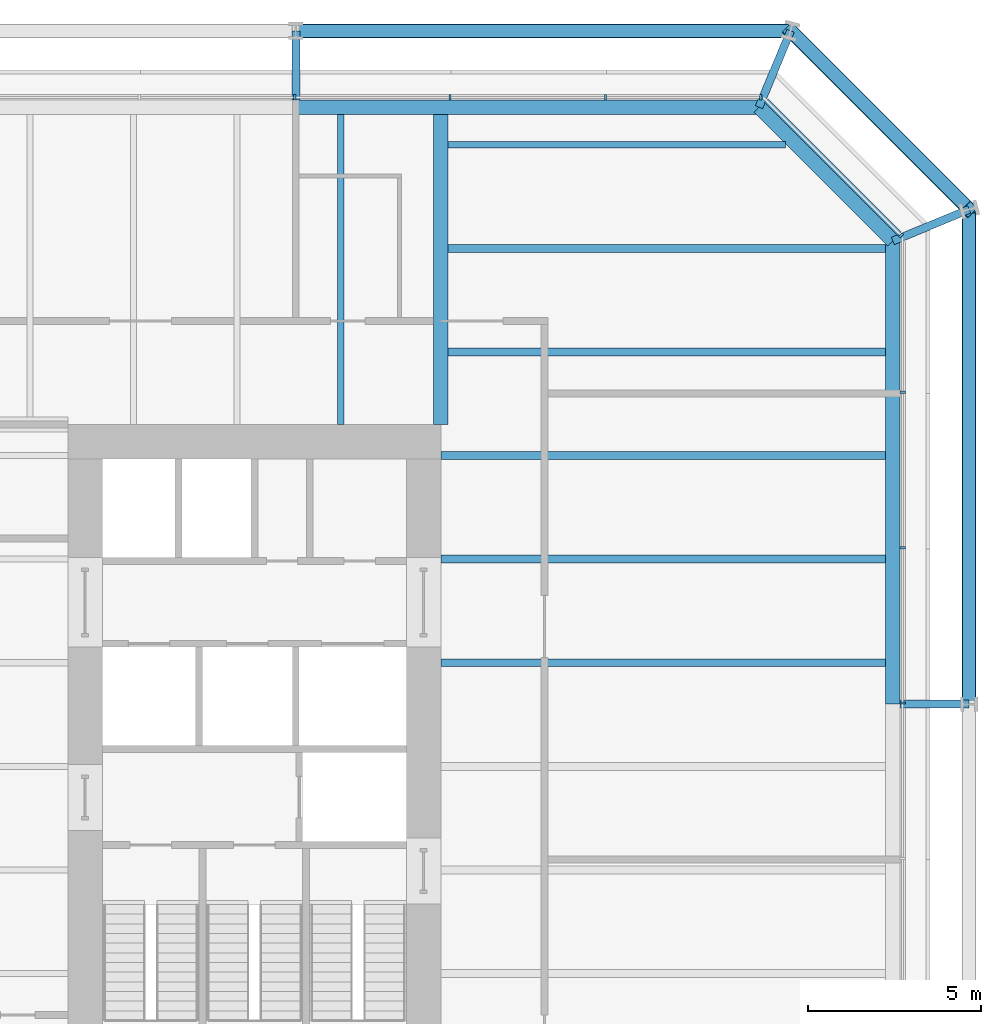
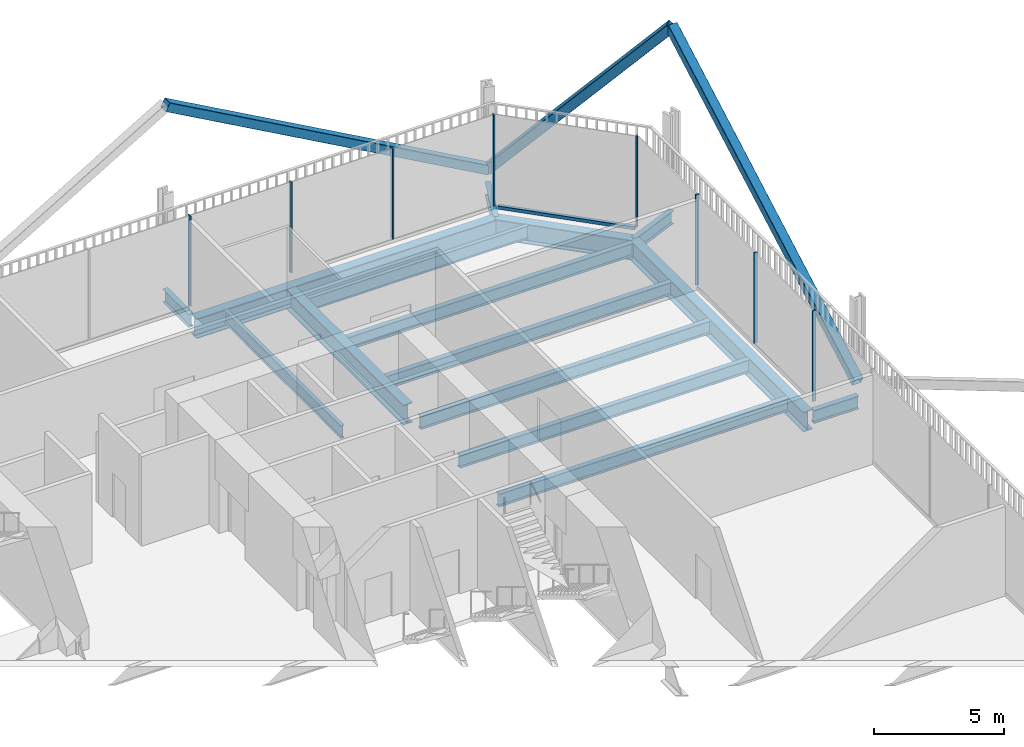
# One storey, part 15 of 21: 15 beams, 12 members, 3 elements without a shape of their own.
"""IFC4 building model written with IfcOpenShell, lengths in metres."""

from ifc_helpers import new_model, si_unit, direction, frame, origin, origin_2d, place, context, subcontext, project, spatial, rectangle, hollow_rectangle, i_section, extrude, material, layer, layer_set, material_profile, profile_set, type_object, element, aggregate, save


model = new_model("IFC4")

# Units and contexts
model_context = context("Model", 3, precision=1e-05, world=origin(), true_north=direction((0.0, 1.0)))
body_context = subcontext(model_context, "Body", "Model", "MODEL_VIEW")
ifc_project = project(units=[si_unit("LENGTHUNIT", "METRE"), si_unit("AREAUNIT", "SQUARE_METRE"), si_unit("VOLUMEUNIT", "CUBIC_METRE"), si_unit("PLANEANGLEUNIT", "RADIAN"), si_unit("MASSUNIT", "GRAM", prefix="KILO")], contexts=[model_context])

# Site, building, storey
site_placement = place(None, origin())
site = spatial("IfcSite", under=ifc_project, at=site_placement, CompositionType="ELEMENT")
building_placement = place(site_placement, origin())
building = spatial("IfcBuilding", under=site, at=building_placement, Name="Millrace Tower", CompositionType="ELEMENT")
storey_placement = place(building_placement, frame((0.0, 0.0, 82.0)))
storey = spatial("IfcBuildingStorey", under=building, at=storey_placement, Name="L18", CompositionType="ELEMENT", Elevation=82.0)

# Curtain wall, members
ifc_material_1 = material(Name="Aluminium and glass", Category="aluminium")
ifc_layer = layer(ifc_material_1, 0.14990234375)
ifc_layer_set = layer_set([ifc_layer], Name="Aluminium and glass")
curtain_wall_type = type_object("IfcCurtainWallType", Name="CW-3 telecom floor curtain wall", PredefinedType="NOTDEFINED", material=ifc_layer_set)
placement = place(storey_placement, origin())
curtain_wall_1 = element("IfcCurtainWall", 1, at=placement, inside=storey, type_object=curtain_wall_type, Name="Curtain wall B-F04 L18", PredefinedType="NOTDEFINED")
ifc_material_2 = material(Name="Aluminium", Category="aluminium")
ifc_material_profile_1 = material_profile(ifc_material_2, rectangle(XDim=0.06494140625, YDim=0.14990234375, at=origin_2d()))
ifc_profile_set_1 = profile_set([ifc_material_profile_1], Name="Aluminium")
member_type_1 = type_object("IfcMemberType", Name="CW-3 telecom floor curtain wall mullion", PredefinedType="MULLION", material=ifc_profile_set_1)
member_1_placement = place(storey_placement, frame((28.27490234375, 1.83251953125, 0.14990234375), z_axis=(0.0, 0.0, 1.0), x_axis=(0.0, 1.0, 0.0)))
member_1 = element("IfcMember", 2, at=member_1_placement, type_object=member_type_1, Name="CW3 mullion B-F04.7", PredefinedType="MULLION", context=body_context, shape_type="SweptSolid", body=[
    extrude(rectangle(XDim=0.06494140625, YDim=0.14990234375, at=origin_2d()), origin(), (0.0, 0.0, 1.0), 4.25),
])
member_2_placement = place(storey_placement, frame((28.27490234375, 6.33251953125, 0.14990234375), z_axis=(0.0, 0.0, 1.0), x_axis=(0.0, 1.0, 0.0)))
member_2 = element("IfcMember", 3, at=member_2_placement, type_object=member_type_1, Name="CW3 mullion B-F04.8", PredefinedType="MULLION", context=body_context, shape_type="SweptSolid", body=[
    extrude(rectangle(XDim=0.06494140625, YDim=0.14990234375, at=origin_2d()), origin(), (0.0, 0.0, 1.0), 4.25),
])
member_3_placement = place(storey_placement, frame((28.27490234375, 10.83251953125, 0.14990234375), z_axis=(0.0, 0.0, 1.0), x_axis=(0.0, 1.0, 0.0)))
member_3 = element("IfcMember", 4, at=member_3_placement, type_object=member_type_1, Name="CW3 mullion B-F04.9", PredefinedType="MULLION", context=body_context, shape_type="SweptSolid", body=[
    extrude(rectangle(XDim=0.06494140625, YDim=0.14990234375, at=origin_2d()), origin(), (0.0, 0.0, 1.0), 4.25),
])
aggregate(curtain_wall_1, [member_1, member_2, member_3])

# Curtain wall, member
curtain_wall_2 = element("IfcCurtainWall", 5, at=placement, inside=storey, type_object=curtain_wall_type, Name="Curtain wall B-F05 L18", PredefinedType="NOTDEFINED")
member_4_placement = place(storey_placement, frame((28.22998046875, 15.3759765625, 0.14990234375), z_axis=(0.0, 0.0, 1.0), x_axis=(-0.707106781187, 0.707106781187, 0.0)))
member_4 = element("IfcMember", 6, at=member_4_placement, type_object=member_type_1, Name="CW3 mullion B-F05.1", PredefinedType="MULLION", context=body_context, shape_type="SweptSolid", body=[
    extrude(rectangle(XDim=0.06494140625, YDim=0.14990234375, at=origin_2d()), origin(), (0.0, 0.0, 1.0), 4.25),
])

# Curtain wall, members
curtain_wall_3 = element("IfcCurtainWall", 7, at=placement, inside=storey, type_object=curtain_wall_type, Name="Curtain wall B-F06 L18", PredefinedType="NOTDEFINED")
member_5_placement = place(storey_placement, frame((24.16748046875, 19.375, 0.14990234375), z_axis=(0.0, 0.0, 1.0), x_axis=(-1.0, 0.0, 0.0)))
member_5 = element("IfcMember", 8, at=member_5_placement, type_object=member_type_1, Name="CW3 mullion B-F06.1", PredefinedType="MULLION", context=body_context, shape_type="SweptSolid", body=[
    extrude(rectangle(XDim=0.06494140625, YDim=0.14990234375, at=origin_2d()), origin(), (0.0, 0.0, 1.0), 4.25),
])
member_6_placement = place(storey_placement, frame((19.66748046875, 19.375, 0.14990234375), z_axis=(0.0, 0.0, 1.0), x_axis=(-1.0, 0.0, 0.0)))
member_6 = element("IfcMember", 9, at=member_6_placement, type_object=member_type_1, Name="CW3 mullion B-F06.2", PredefinedType="MULLION", context=body_context, shape_type="SweptSolid", body=[
    extrude(rectangle(XDim=0.06494140625, YDim=0.14990234375, at=origin_2d()), origin(), (0.0, 0.0, 1.0), 4.25),
])
member_7_placement = place(storey_placement, frame((15.16748046875, 19.375, 0.14990234375), z_axis=(0.0, 0.0, 1.0), x_axis=(-1.0, 0.0, 0.0)))
member_7 = element("IfcMember", 10, at=member_7_placement, type_object=member_type_1, Name="CW3 mullion B-F06.3", PredefinedType="MULLION", context=body_context, shape_type="SweptSolid", body=[
    extrude(rectangle(XDim=0.06494140625, YDim=0.14990234375, at=origin_2d()), origin(), (0.0, 0.0, 1.0), 4.25),
])
member_8_placement = place(storey_placement, frame((10.66748046875, 19.375, 0.14990234375), z_axis=(0.0, 0.0, 1.0), x_axis=(-1.0, 0.0, 0.0)))
member_8 = element("IfcMember", 11, at=member_8_placement, type_object=member_type_1, Name="CW3 mullion B-F06.4", PredefinedType="MULLION", context=body_context, shape_type="SweptSolid", body=[
    extrude(rectangle(XDim=0.06494140625, YDim=0.14990234375, at=origin_2d()), origin(), (0.0, 0.0, 1.0), 4.25),
])
aggregate(curtain_wall_3, [member_5, member_6, member_7, member_8])

# Member
ifc_material_3 = material(Name="Aluminium", Category="aluminium")
ifc_material_profile_2 = material_profile(ifc_material_3, rectangle(XDim=0.14990234375, YDim=0.14990234375, at=origin_2d()))
ifc_profile_set_2 = profile_set([ifc_material_profile_2], Name="Aluminium")
member_type_2 = type_object("IfcMemberType", Name="CW-3 telecom floor curtain wall transom", PredefinedType="USERDEFINED", material=ifc_profile_set_2)
member_9_placement = place(storey_placement, frame((28.182373046875, 15.423828125, 0.074951171875), z_axis=(-0.707129151258, 0.707084410407, 0.0), x_axis=(-0.707084410407, -0.707129151258, 0.0)))
member_9 = element("IfcMember", 12, at=member_9_placement, type_object=member_type_2, Name="CW3 transom B-F05.1", ObjectType="TRANSOM", PredefinedType="USERDEFINED", context=body_context, shape_type="SweptSolid", body=[
    extrude(rectangle(XDim=0.14990234375, YDim=0.14990234375, at=origin_2d()), origin(), (0.0, 0.0, 1.0), 5.456787109375),
])

aggregate(curtain_wall_2, [member_4, member_9])

# Members
ifc_material_4 = material(Name="Steel ASTM A500 Grade C", Category="steel")
ifc_material_profile_3 = material_profile(ifc_material_4, hollow_rectangle(XDim=0.406494140625, YDim=0.406494140625, WallThickness=0.015869140625, InnerFilletRadius=0.008056640625, OuterFilletRadius=0.02392578125, at=origin_2d()))
ifc_profile_set_3 = profile_set([ifc_material_profile_3], Name="Steel ASTM A500 Grade C")
member_type_3 = type_object("IfcMemberType", Name="Exoskeleton brace HSS16x16x5/8", PredefinedType="BRACE", material=ifc_profile_set_3)
member_10_placement = place(storey_placement, frame((30.199951171875, 1.800048828125, 0.39990234375), z_axis=(0.0, 0.873125840427, 0.487494888976), x_axis=(-1.0, 0.0, 0.0)))
element("IfcMember", 13, at=member_10_placement, inside=storey, type_object=member_type_3, Name="BRC-B-L18-08", PredefinedType="BRACE", context=body_context, shape_type="SweptSolid", body=[
    extrude(hollow_rectangle(XDim=0.406494140625, YDim=0.406494140625, WallThickness=0.015869140625, InnerFilletRadius=0.008056640625, OuterFilletRadius=0.02392578125, at=origin_2d()), origin(), (0.0, 0.0, 1.0), 16.410400390625),
])
member_11_placement = place(storey_placement, frame((25.0283203125, 21.300048828125, 0.39990234375), z_axis=(0.477116280189, -0.477116280189, 0.738051563482), x_axis=(0.707106781187, 0.707106781187, 0.0)))
element("IfcMember", 14, at=member_11_placement, inside=storey, type_object=member_type_3, Name="BRC-B-L18-09", PredefinedType="BRACE", context=body_context, shape_type="SweptSolid", body=[
    extrude(hollow_rectangle(XDim=0.406494140625, YDim=0.406494140625, WallThickness=0.015869140625, InnerFilletRadius=0.008056640625, OuterFilletRadius=0.02392578125, at=origin_2d()), origin(), (0.0, 0.0, 1.0), 10.83935546875),
])
member_12_placement = place(storey_placement, frame((25.0283203125, 21.300048828125, 0.39990234375), z_axis=(-0.873125840427, 0.0, 0.487494888976), x_axis=(0.0, -1.0, 0.0)))
element("IfcMember", 15, at=member_12_placement, inside=storey, type_object=member_type_3, Name="BRC-B-L18-10", PredefinedType="BRACE", context=body_context, shape_type="SweptSolid", body=[
    extrude(hollow_rectangle(XDim=0.406494140625, YDim=0.406494140625, WallThickness=0.015869140625, InnerFilletRadius=0.008056640625, OuterFilletRadius=0.02392578125, at=origin_2d()), origin(), (0.0, 0.0, 1.0), 16.410400390625),
])

# Beams
ifc_material_5 = material(Name="Steel ASTM A992 Grade 50", Category="steel")
ifc_material_profile_4 = material_profile(ifc_material_5, i_section(OverallWidth=0.177978515625, OverallDepth=0.599365234375, WebThickness=0.010009765625, FlangeThickness=0.012939453125, FilletRadius=0.012939453125, at=origin_2d()))
ifc_profile_set_4 = profile_set([ifc_material_profile_4], Name="Steel ASTM A992 Grade 50")
beam_type_1 = type_object("IfcBeamType", Name="Floor beam W24x55", PredefinedType="JOIST", material=ifc_profile_set_4)
beam_1_placement = place(storey_placement, frame((12.0, 9.89990234375, -0.499755859375), z_axis=(0.0, 1.0, 0.0), x_axis=(-1.0, 0.0, 0.0)))
element("IfcBeam", 16, at=beam_1_placement, inside=storey, type_object=beam_type_1, Name="BM-B-L18-S1-S056", PredefinedType="JOIST", context=body_context, shape_type="SweptSolid", body=[
    extrude(i_section(OverallWidth=0.177978515625, OverallDepth=0.599365234375, WebThickness=0.010009765625, FlangeThickness=0.012939453125, FilletRadius=0.012939453125, at=origin_2d()), origin(), (0.0, 0.0, 1.0), 8.98095703125),
])
beam_2_placement = place(storey_placement, frame((15.11083984375, 18.0, -0.499755859375), z_axis=(1.0, 0.0, 0.0), x_axis=(0.0, 1.0, 0.0)))
element("IfcBeam", 17, at=beam_2_placement, inside=storey, type_object=beam_type_1, Name="BM-B-L18-S1-S039", PredefinedType="JOIST", context=body_context, shape_type="SweptSolid", body=[
    extrude(i_section(OverallWidth=0.177978515625, OverallDepth=0.599365234375, WebThickness=0.010009765625, FlangeThickness=0.012939453125, FilletRadius=0.012939453125, at=origin_2d()), origin(), (0.0, 0.0, 1.0), 9.7724609375),
])
ifc_material_6 = material(Name="Steel ASTM A992 Grade 50", Category="steel")
ifc_material_profile_5 = material_profile(ifc_material_6, i_section(OverallWidth=0.228271484375, OverallDepth=0.607177734375, WebThickness=0.01123046875, FlangeThickness=0.017333984375, FilletRadius=0.0126953125, at=origin_2d()))
ifc_profile_set_5 = profile_set([ifc_material_profile_5], Name="Steel ASTM A992 Grade 50")
beam_type_2 = type_object("IfcBeamType", Name="Floor beam W24x76", PredefinedType="JOIST", material=ifc_profile_set_5)
for number, where, z_axis, x_axis, name in (
    (18, (14.89990234375, 3.0, -0.50341796875), (1.0, 0.0, 0.0), (0.0, 1.0, 0.0), "BM-B-L18-S1-S027"),
    (19, (14.89990234375, 6.0, -0.50341796875), (1.0, 0.0, 0.0), (0.0, 1.0, 0.0), "BM-B-L18-S1-S030"),
    (20, (14.89990234375, 9.0, -0.50341796875), (1.0, 0.0, 0.0), (0.0, 1.0, 0.0), "BM-B-L18-S1-S033"),
):
    element("IfcBeam", number, at=place(storey_placement, frame(where, z_axis=z_axis, x_axis=x_axis)), inside=storey, type_object=beam_type_2, Name=name, PredefinedType="JOIST", context=body_context, shape_type="SweptSolid", body=[
        extrude(i_section(OverallWidth=0.228271484375, OverallDepth=0.607177734375, WebThickness=0.01123046875, FlangeThickness=0.017333984375, FilletRadius=0.0126953125, at=origin_2d()), origin(), (0.0, 0.0, 1.0), 12.881103515625),
    ])
for number, where, z_axis, x_axis, name in (
    (21, (15.11083984375, 12.0, -0.50341796875), (1.0, 0.0, 0.0), (0.0, 1.0, 0.0), "BM-B-L18-S1-S035"),
    (22, (15.11083984375, 15.0, -0.50341796875), (1.0, 0.0, 0.0), (0.0, 1.0, 0.0), "BM-B-L18-S1-S037"),
):
    element("IfcBeam", number, at=place(storey_placement, frame(where, z_axis=z_axis, x_axis=x_axis)), inside=storey, type_object=beam_type_2, Name=name, PredefinedType="JOIST", context=body_context, shape_type="SweptSolid", body=[
        extrude(i_section(OverallWidth=0.228271484375, OverallDepth=0.607177734375, WebThickness=0.01123046875, FlangeThickness=0.017333984375, FilletRadius=0.0126953125, at=origin_2d()), origin(), (0.0, 0.0, 1.0), 12.670166015625),
    ])
ifc_material_7 = material(Name="Steel ASTM A992 Grade 50", Category="steel")
ifc_material_profile_6 = material_profile(ifc_material_7, i_section(OverallWidth=0.421630859375, OverallDepth=0.937255859375, WebThickness=0.021240234375, FlangeThickness=0.03662109375, FilletRadius=0.024169921875, at=origin_2d()))
ifc_profile_set_6 = profile_set([ifc_material_profile_6], Name="Steel ASTM A992 Grade 50")
beam_type_3 = type_object("IfcBeamType", Name="Girder short span W36x262", PredefinedType="BEAM", material=ifc_profile_set_6)
beam_3_placement = place(storey_placement, frame((14.89990234375, 9.89990234375, -0.668701171875), z_axis=(0.0, 1.0, 0.0), x_axis=(-1.0, 0.0, 0.0)))
element("IfcBeam", 23, at=beam_3_placement, inside=storey, type_object=beam_type_3, Name="BM-B-L18-S1-G060", PredefinedType="BEAM", context=body_context, shape_type="SweptSolid", body=[
    extrude(i_section(OverallWidth=0.421630859375, OverallDepth=0.937255859375, WebThickness=0.021240234375, FlangeThickness=0.03662109375, FilletRadius=0.024169921875, at=origin_2d()), origin(), (0.0, 0.0, 1.0), 8.98095703125),
])
ifc_material_8 = material(Name="Steel ASTM A992 Grade 50", Category="steel")
ifc_material_profile_7 = material_profile(ifc_material_8, i_section(OverallWidth=0.23046875, OverallDepth=0.6171875, WebThickness=0.01318359375, FlangeThickness=0.022216796875, FilletRadius=0.012939453125, at=origin_2d()))
ifc_profile_set_7 = profile_set([ifc_material_profile_7], Name="Steel ASTM A992 Grade 50")
beam_type_4 = type_object("IfcBeamType", Name="Link beam W24x94", PredefinedType="BEAM", material=ifc_profile_set_7)
beam_4_placement = place(storey_placement, frame((10.699951171875, 19.300048828125, -0.508544921875), z_axis=(0.0, 1.0, 0.0), x_axis=(-1.0, 0.0, 0.0)))
element("IfcBeam", 24, at=beam_4_placement, inside=storey, type_object=beam_type_4, Name="LNK-B-L18-S1-07", PredefinedType="BEAM", context=body_context, shape_type="SweptSolid", body=[
    extrude(i_section(OverallWidth=0.23046875, OverallDepth=0.6171875, WebThickness=0.01318359375, FlangeThickness=0.022216796875, FilletRadius=0.012939453125, at=origin_2d()), origin(), (0.0, 0.0, 1.0), 2.0),
])
for number, where, z_axis, x_axis, name in (
    (25, (24.11328125, 19.09033203125, -0.508544921875), (0.382592209583, 0.923917312949, 0.0), (-0.923917312949, 0.382592209583, 0.0), "LNK-B-L18-S1-08"),
    (26, (27.990478515625, 15.213134765625, -0.508544921875), (0.92386627665, 0.382715433277, 0.0), (-0.382715433277, 0.92386627665, 0.0), "LNK-B-L18-S1-09"),
):
    element("IfcBeam", number, at=place(storey_placement, frame(where, z_axis=z_axis, x_axis=x_axis)), inside=storey, type_object=beam_type_4, Name=name, PredefinedType="BEAM", context=body_context, shape_type="SweptSolid", body=[
        extrude(i_section(OverallWidth=0.23046875, OverallDepth=0.6171875, WebThickness=0.01318359375, FlangeThickness=0.022216796875, FilletRadius=0.012939453125, at=origin_2d()), origin(), (0.0, 0.0, 1.0), 2.3916015625),
    ])
beam_5_placement = place(storey_placement, frame((28.199951171875, 1.800048828125, -0.508544921875), z_axis=(1.0, 0.0, 0.0), x_axis=(0.0, 1.0, 0.0)))
element("IfcBeam", 27, at=beam_5_placement, inside=storey, type_object=beam_type_4, Name="LNK-B-L18-S1-10", PredefinedType="BEAM", context=body_context, shape_type="SweptSolid", body=[
    extrude(i_section(OverallWidth=0.23046875, OverallDepth=0.6171875, WebThickness=0.01318359375, FlangeThickness=0.022216796875, FilletRadius=0.012939453125, at=origin_2d()), origin(), (0.0, 0.0, 1.0), 2.0),
])
ifc_material_9 = material(Name="Steel ASTM A992 Grade 50", Category="steel")
ifc_material_profile_8 = material_profile(ifc_material_9, i_section(OverallWidth=0.419189453125, OverallDepth=0.927001953125, WebThickness=0.019287109375, FlangeThickness=0.031982421875, FilletRadius=0.024169921875, at=origin_2d()))
ifc_profile_set_8 = profile_set([ifc_material_profile_8], Name="Steel ASTM A992 Grade 50")
beam_type_5 = type_object("IfcBeamType", Name="Ring beam medium span W36x231", PredefinedType="SPANDREL", material=ifc_profile_set_8)
beam_6_placement = place(storey_placement, frame((10.699951171875, 19.09033203125, -0.66357421875), z_axis=(1.0, 0.0, 0.0), x_axis=(0.0, 1.0, 0.0)))
element("IfcBeam", 28, at=beam_6_placement, inside=storey, type_object=beam_type_5, Name="RNG-B-L18-S1-07", PredefinedType="SPANDREL", context=body_context, shape_type="SweptSolid", body=[
    extrude(i_section(OverallWidth=0.419189453125, OverallDepth=0.927001953125, WebThickness=0.019287109375, FlangeThickness=0.031982421875, FilletRadius=0.024169921875, at=origin_2d()), origin(), (0.0, 0.0, 1.0), 13.413330078125),
])
beam_7_placement = place(storey_placement, frame((27.990478515625, 15.213134765625, -0.66357421875), z_axis=(0.0, -1.0, 0.0), x_axis=(1.0, 0.0, 0.0)))
element("IfcBeam", 29, at=beam_7_placement, inside=storey, type_object=beam_type_5, Name="RNG-B-L18-S1-09", PredefinedType="SPANDREL", context=body_context, shape_type="SweptSolid", body=[
    extrude(i_section(OverallWidth=0.419189453125, OverallDepth=0.927001953125, WebThickness=0.019287109375, FlangeThickness=0.031982421875, FilletRadius=0.024169921875, at=origin_2d()), origin(), (0.0, 0.0, 1.0), 13.4130859375),
])
ifc_material_10 = material(Name="Steel ASTM A992 Grade 50", Category="steel")
ifc_material_profile_9 = material_profile(ifc_material_10, i_section(OverallWidth=0.419189453125, OverallDepth=0.927001953125, WebThickness=0.019287109375, FlangeThickness=0.031982421875, FilletRadius=0.024169921875, at=origin_2d()))
ifc_profile_set_9 = profile_set([ifc_material_profile_9], Name="Steel ASTM A992 Grade 50")
beam_type_6 = type_object("IfcBeamType", Name="Ring beam short span W36x231", PredefinedType="SPANDREL", material=ifc_profile_set_9)
beam_8_placement = place(storey_placement, frame((24.11328125, 19.09033203125, -0.66357421875), z_axis=(0.707106781187, -0.707106781187, 0.0), x_axis=(0.707106781187, 0.707106781187, 0.0)))
element("IfcBeam", 30, at=beam_8_placement, inside=storey, type_object=beam_type_6, Name="RNG-B-L18-S1-08", PredefinedType="SPANDREL", context=body_context, shape_type="SweptSolid", body=[
    extrude(i_section(OverallWidth=0.419189453125, OverallDepth=0.927001953125, WebThickness=0.019287109375, FlangeThickness=0.031982421875, FilletRadius=0.024169921875, at=origin_2d()), origin(), (0.0, 0.0, 1.0), 5.483154296875),
])

save(model, "model.ifc")
